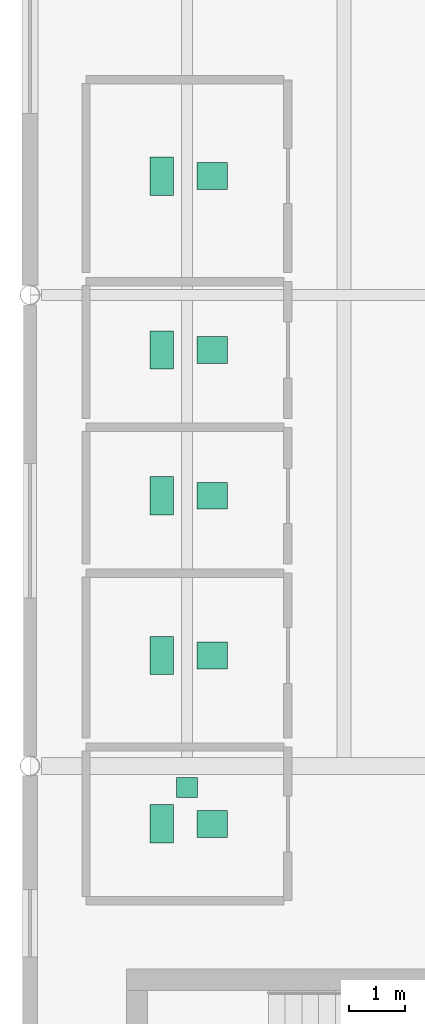
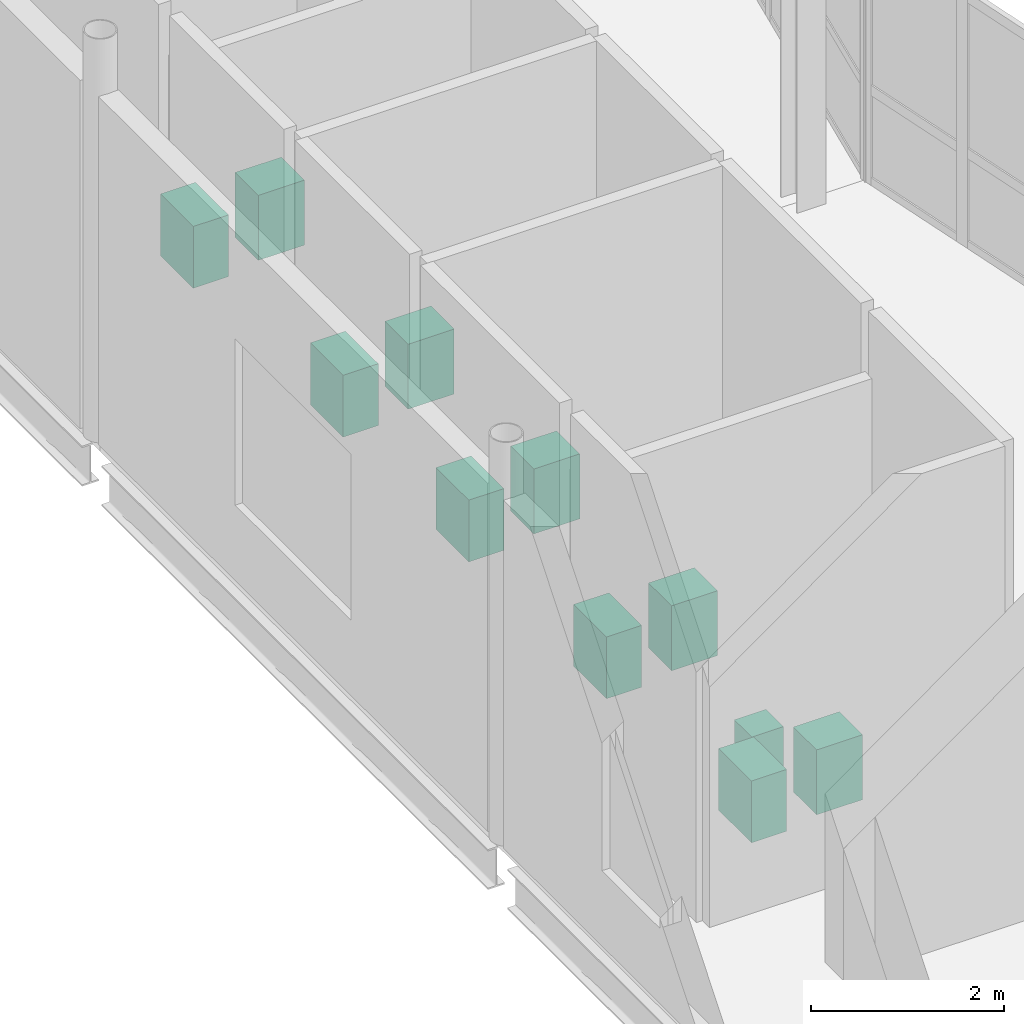
# One storey, part 90 of 91: 11 sanitary terminals.
"""IFC4 building model written with IfcOpenShell, lengths in metres."""

import ifcopenshell
import ifcopenshell.guid

model = None  # the IFC model being written
_history = None  # IfcOwnerHistory: only IFC2X3 demands one
_inside = {}  # id of a spatial element -> (the spatial element, [elements in it])
_under = {}  # id of a project, library or spatial element -> (it, [spatial elements below it])
_declared = {}  # id of a project -> (the project, [libraries it declares])
_typed = {}  # id of a type object -> (the type object, [elements of that type])
_made_of = {}  # id of a material, layer set ... -> (it, [elements and type objects made of it])


def new_model(schema):
    """Start an empty IFC model of exactly this schema.

    Asked for "IFC4X3", IfcOpenShell would pick the latest addendum, in which some entities
    have other attributes; the version numbers below select the first issue.
    IFC2X3 requires an IfcOwnerHistory on every rooted entity: one is made here for all.
    """
    global model, _history
    if schema == "IFC4X3":
        model = ifcopenshell.file(schema_version=(4, 3, 0, 0))
    else:
        model = ifcopenshell.file(schema=schema)
    _inside.clear()
    _under.clear()
    _declared.clear()
    _typed.clear()
    _made_of.clear()
    _history = None
    if model.schema == "IFC2X3":
        org = make("IfcOrganization", Name="unknown")
        user = make(
            "IfcPersonAndOrganization",
            ThePerson=make("IfcPerson", FamilyName="unknown"),
            TheOrganization=org,
        )
        app = make(
            "IfcApplication",
            ApplicationDeveloper=org,
            Version="unknown",
            ApplicationFullName="unknown",
            ApplicationIdentifier="unknown",
        )
        _history = make(
            "IfcOwnerHistory",
            OwningUser=user,
            OwningApplication=app,
            ChangeAction="ADDED",
            CreationDate=0,
        )
    return model


def make(cls, **values):
    """One entity of the class cls with the attributes given. An attribute that is None is left unset."""
    return model.create_entity(
        cls, **{name: value for name, value in values.items() if value is not None}
    )


def rooted(cls, **values):
    """An entity with a GlobalId (a new one), such as an element, a storey or a relation."""
    return make(cls, GlobalId=ifcopenshell.guid.new(), OwnerHistory=_history, **values)


def si_unit(unit_type, name, prefix=None):
    """IfcSIUnit, for example si_unit("LENGTHUNIT", "METRE", prefix="MILLI")."""
    return make("IfcSIUnit", UnitType=unit_type, Prefix=prefix, Name=name)


def assignment(units):
    """IfcUnitAssignment: the units of a project."""
    return None if units is None else make("IfcUnitAssignment", Units=units)


def point(xyz):
    """IfcCartesianPoint."""
    return None if xyz is None else make("IfcCartesianPoint", Coordinates=xyz)


def direction(xyz):
    """IfcDirection."""
    return None if xyz is None else make("IfcDirection", DirectionRatios=xyz)


def frame(location, z_axis=None, x_axis=None):
    """IfcAxis2Placement3D, a coordinate frame: its origin and axes. An axis left out is left unset."""
    return make(
        "IfcAxis2Placement3D",
        Location=point(location),
        Axis=direction(z_axis),
        RefDirection=direction(x_axis),
    )


def frame_2d(location, x_axis=None):
    """IfcAxis2Placement2D, a coordinate frame in the plane: its origin and x axis."""
    return make(
        "IfcAxis2Placement2D", Location=point(location), RefDirection=direction(x_axis)
    )


def origin():
    """The frame at (0, 0, 0) with its axes left unset."""
    return frame((0.0, 0.0, 0.0))


def origin_2d():
    """The frame at (0, 0) in the plane with its x axis left unset."""
    return frame_2d((0.0, 0.0))


def place(relative_to, where):
    """IfcLocalPlacement: puts the frame where relative to a parent placement (None: the world)."""
    return make(
        "IfcLocalPlacement", PlacementRelTo=relative_to, RelativePlacement=where
    )


def context(
    kind, dimensions, precision=None, world=None, true_north=None, identifier=None
):
    """IfcGeometricRepresentationContext, for example the 3D "Model" context."""
    return make(
        "IfcGeometricRepresentationContext",
        ContextIdentifier=identifier,
        ContextType=kind,
        CoordinateSpaceDimension=dimensions,
        Precision=precision,
        WorldCoordinateSystem=world,
        TrueNorth=true_north,
    )


def subcontext(parent, identifier, kind, view, scale=None):
    """IfcGeometricRepresentationSubContext, for example "Body" below "Model"."""
    return make(
        "IfcGeometricRepresentationSubContext",
        ContextIdentifier=identifier,
        ContextType=kind,
        ParentContext=parent,
        TargetScale=scale,
        TargetView=view,
    )


def project(units=None, contexts=None):
    """IfcProject with its units and contexts."""
    return rooted(
        "IfcProject",
        Name="project",
        RepresentationContexts=contexts,
        UnitsInContext=assignment(units),
    )


def spatial(cls, under=None, at=None, **own):
    """A site, building, storey or space (cls), placed at a placement, below another one or the project."""
    s = rooted(cls, ObjectPlacement=at, **own)
    if under is not None:
        _under.setdefault(under.id(), (under, []))[1].append(s)
    return s


def profile(cls, at=None, kind="AREA", **sizes):
    """A parametric profile (cls). Its sizes go by their IFC names, for example OverallWidth=200.0."""
    return make(cls, ProfileType=kind, Position=at, **sizes)


def rectangle(**sizes):
    """IfcRectangleProfileDef."""
    return profile("IfcRectangleProfileDef", **sizes)


def extrude(swept, where, along, depth):
    """IfcExtrudedAreaSolid: the profile swept, set in the frame where, extruded along a direction by depth."""
    return make(
        "IfcExtrudedAreaSolid",
        SweptArea=swept,
        Position=where,
        ExtrudedDirection=direction(along),
        Depth=depth,
    )


def shape(context_of_items, identifier, shape_type, items):
    """IfcShapeRepresentation: the items that make up one representation, for example the "Body"."""
    return make(
        "IfcShapeRepresentation",
        ContextOfItems=context_of_items,
        RepresentationIdentifier=identifier,
        RepresentationType=shape_type,
        Items=items,
    )


def material(Name=None, Category=None):
    """IfcMaterial."""
    return make("IfcMaterial", Name=Name, Category=Category)


def made_of(thing, what):
    """Note that an element or type object is made of a material, layer set ...; save() writes the relation."""
    if what is not None:
        _made_of.setdefault(what.id(), (what, []))[1].append(thing)
    return thing


def type_object(cls, material=None, **own):
    """A type object (cls), such as IfcWallType, which elements share."""
    return made_of(rooted(cls, **own), material)


def element(
    cls,
    number,
    at=None,
    inside=None,
    cuts=None,
    type_object=None,
    material=None,
    context=None,
    identifier="Body",
    shape_type=None,
    held_by="IfcProductDefinitionShape",
    body=None,
    shapes=None,
    **own,
):
    """One element of the class cls, such as IfcWall. Its Tag is "e" and its number.

    at: its placement. inside: the storey or other place that contains it. cuts: it is an
    opening in that element (IfcRelVoidsElement). A single representation is given by context,
    identifier, shape_type and body (its items); several are given by shapes. held_by: the class
    of the entity that holds the representations. save() writes the other relations.
    """
    e = rooted(cls, Tag="e%d" % number, ObjectPlacement=at, **own)
    if body is not None:
        shapes = [shape(context, identifier, shape_type, body)]
    if shapes is not None:
        e.Representation = make(held_by, Representations=shapes)
    if inside is not None:
        _inside.setdefault(inside.id(), (inside, []))[1].append(e)
    if cuts is not None:
        rooted(
            "IfcRelVoidsElement", RelatingBuildingElement=cuts, RelatedOpeningElement=e
        )
    if type_object is not None:
        _typed.setdefault(type_object.id(), (type_object, []))[1].append(e)
    return made_of(e, material)


def aggregate(whole, parts):
    """IfcRelAggregates: a whole, such as a stair, and the parts it consists of."""
    return rooted("IfcRelAggregates", RelatingObject=whole, RelatedObjects=parts)


def save(model, path):
    """Write the relations noted so far, then the file.

    IfcRelAggregates (storeys below a building ...), IfcRelContainedInSpatialStructure (elements
    in a storey), IfcRelDefinesByType, IfcRelAssociatesMaterial and IfcRelDeclares: one each for
    every whole, place, type object, material and project.
    """
    for whole, parts in _under.values():
        aggregate(whole, parts)
    for where, things in _inside.values():
        rooted(
            "IfcRelContainedInSpatialStructure",
            RelatedElements=things,
            RelatingStructure=where,
        )
    for kind, things in _typed.values():
        rooted("IfcRelDefinesByType", RelatedObjects=things, RelatingType=kind)
    for what, things in _made_of.values():
        rooted("IfcRelAssociatesMaterial", RelatedObjects=things, RelatingMaterial=what)
    for by, libraries in _declared.values():
        rooted("IfcRelDeclares", RelatingContext=by, RelatedDefinitions=libraries)
    model.write(path)


model = new_model("IFC4")

# Units and contexts
model_context = context("Model", 3, precision=1e-05, world=origin(), true_north=direction((0.0, 1.0)))
body_context = subcontext(model_context, "Body", "Model", "MODEL_VIEW")
ifc_project = project(units=[si_unit("LENGTHUNIT", "METRE"), si_unit("AREAUNIT", "SQUARE_METRE"), si_unit("VOLUMEUNIT", "CUBIC_METRE"), si_unit("PLANEANGLEUNIT", "RADIAN"), si_unit("MASSUNIT", "GRAM", prefix="KILO"), si_unit("THERMODYNAMICTEMPERATUREUNIT", "KELVIN")], contexts=[model_context])

# Site, building, storey
site_placement = place(None, origin())
site = spatial("IfcSite", under=ifc_project, at=site_placement, CompositionType="ELEMENT")
building_placement = place(site_placement, origin())
building = spatial("IfcBuilding", under=site, at=building_placement, Name="Lustrewick Department Store", CompositionType="ELEMENT")
storey_placement = place(building_placement, frame((0.0, 0.0, 21.60009765625)))
storey = spatial("IfcBuildingStorey", under=building, at=storey_placement, Name="L05", CompositionType="ELEMENT", Elevation=21.60009765625)

# Sanitary terminals
ifc_material = material(Name="Glazed white vitreous china sanitaryware", Category="masonry")
sanitary_terminal_type_1 = type_object("IfcSanitaryTerminalType", Name="SAN-URI", PredefinedType="URINAL", material=ifc_material)
sanitary_terminal_placement = place(storey_placement, frame((11.199951171875, 58.419921875, 0.0), z_axis=(0.0, 0.0, 1.0), x_axis=(1.0, 0.0, 0.0)))
element("IfcSanitaryTerminal", 1, at=sanitary_terminal_placement, inside=storey, type_object=sanitary_terminal_type_1, Name="L05 Male Public WC Urinal", PredefinedType="URINAL", context=body_context, shape_type="SweptSolid", body=[
    extrude(rectangle(XDim=0.3798828125, YDim=0.360107421875, at=origin_2d()), origin(), (0.0, 0.0, 1.0), 0.679931640625),
])
sanitary_terminal_type_2 = type_object("IfcSanitaryTerminalType", Name="SAN-WC", PredefinedType="TOILETPAN", material=ifc_material)
for number, where, z_axis, x_axis, name in (
    (2, (10.75, 57.77001953125, 0.0), (0.0, 0.0, 1.0), (1.0, 0.0, 0.0), "L05 Male Public WC WC Pan"),
    (3, (10.75, 60.77001953125, 0.0), (0.0, 0.0, 1.0), (1.0, 0.0, 0.0), "L05 Female Public WC WC Pan"),
    (4, (10.75, 63.6201171875, 0.0), (0.0, 0.0, 1.0), (1.0, 0.0, 0.0), "L05 Accessible WC WC Pan"),
    (5, (10.75, 66.219970703125, 0.0), (0.0, 0.0, 1.0), (1.0, 0.0, 0.0), "L05 Staff WC WC Pan"),
    (6, (10.75, 69.320068359375, 0.0), (0.0, 0.0, 1.0), (1.0, 0.0, 0.0), "L05 Nursery Room WC Pan"),
):
    element("IfcSanitaryTerminal", number, at=place(storey_placement, frame(where, z_axis=z_axis, x_axis=x_axis)), inside=storey, type_object=sanitary_terminal_type_2, Name=name, PredefinedType="TOILETPAN", context=body_context, shape_type="SweptSolid", body=[
        extrude(rectangle(XDim=0.419921875, YDim=0.679931640625, at=origin_2d()), origin(), (0.0, 0.0, 1.0), 0.780029296875),
    ])
sanitary_terminal_type_3 = type_object("IfcSanitaryTerminalType", Name="SAN-WHB", PredefinedType="WASHHANDBASIN", material=ifc_material)
for number, where, z_axis, x_axis, name in (
    (7, (11.64990234375, 57.77001953125, 0.0), (0.0, 0.0, 1.0), (1.0, 0.0, 0.0), "L05 Male Public WC Washbasin"),
    (8, (11.64990234375, 60.77001953125, 0.0), (0.0, 0.0, 1.0), (1.0, 0.0, 0.0), "L05 Female Public WC Washbasin"),
    (9, (11.64990234375, 63.6201171875, 0.0), (0.0, 0.0, 1.0), (1.0, 0.0, 0.0), "L05 Accessible WC Washbasin"),
    (10, (11.64990234375, 66.219970703125, 0.0), (0.0, 0.0, 1.0), (1.0, 0.0, 0.0), "L05 Staff WC Washbasin"),
    (11, (11.64990234375, 69.320068359375, 0.0), (0.0, 0.0, 1.0), (1.0, 0.0, 0.0), "L05 Nursery Room Washbasin"),
):
    element("IfcSanitaryTerminal", number, at=place(storey_placement, frame(where, z_axis=z_axis, x_axis=x_axis)), inside=storey, type_object=sanitary_terminal_type_3, Name=name, PredefinedType="WASHHANDBASIN", context=body_context, shape_type="SweptSolid", body=[
        extrude(rectangle(XDim=0.550048828125, YDim=0.47998046875, at=origin_2d()), origin(), (0.0, 0.0, 1.0), 0.820068359375),
    ])

save(model, "model.ifc")
